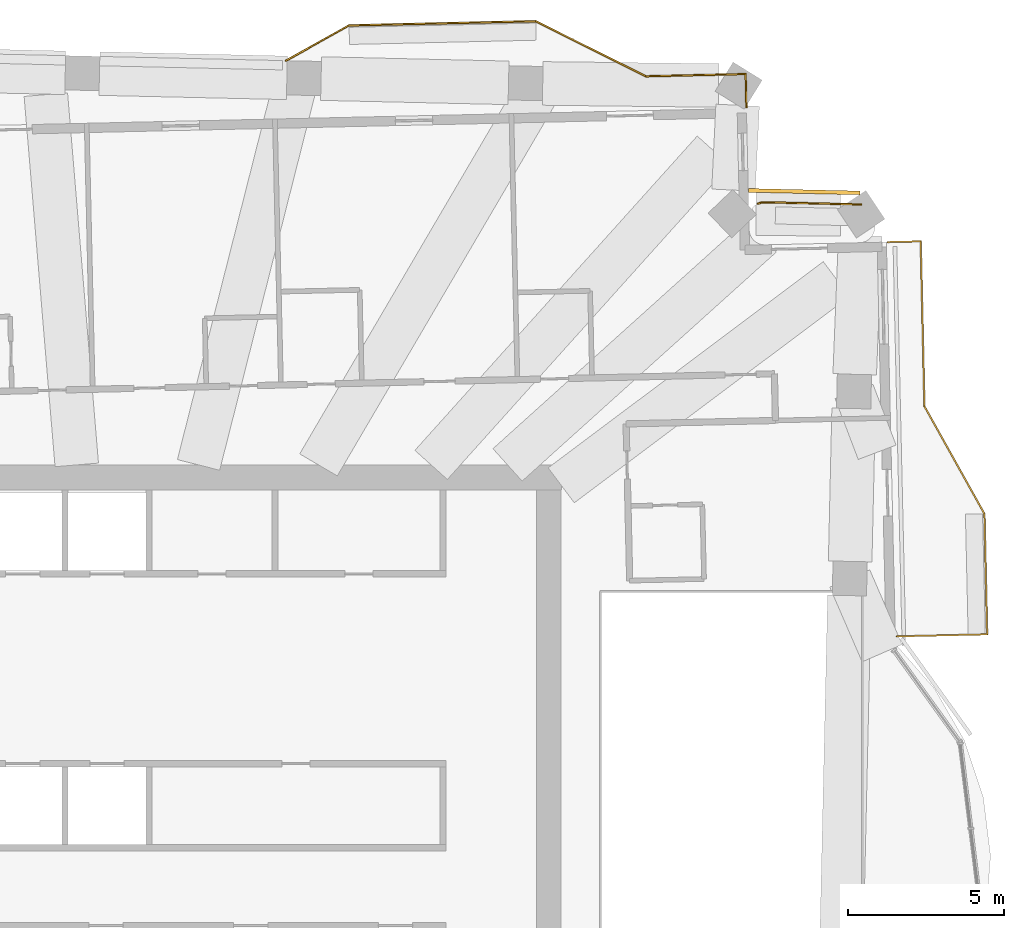
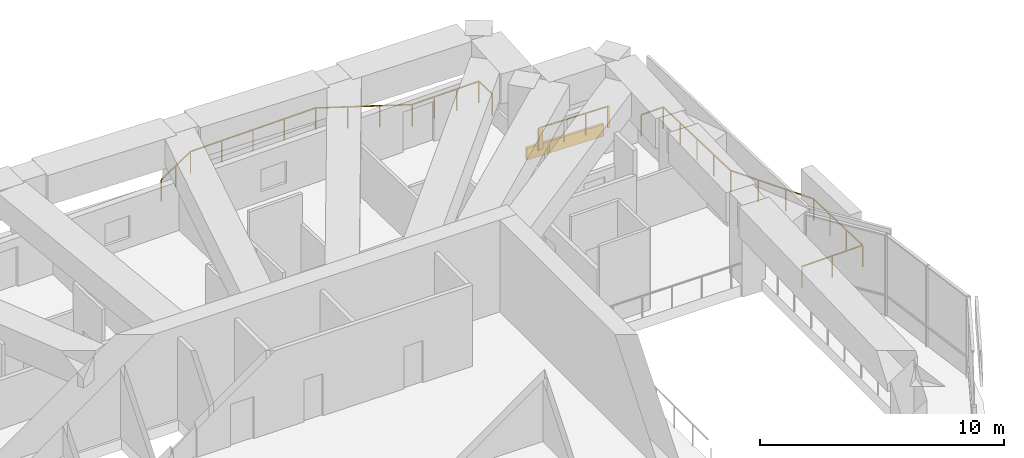
# One storey, part 19 of 19: 3 railings, 1 covering.
"""IFC4 building model written with IfcOpenShell, lengths in metres."""

from ifc_helpers import new_model, si_unit, direction, frame, frame_2d, origin, origin_2d, place, context, subcontext, project, spatial, rectangle, extrude, material, layer, layer_set, type_object, element, save


model = new_model("IFC4")

# Units and contexts
model_context = context("Model", 3, precision=1e-05, world=origin(), true_north=direction((0.0, 1.0)))
body_context = subcontext(model_context, "Body", "Model", "MODEL_VIEW")
ifc_project = project(units=[si_unit("LENGTHUNIT", "METRE"), si_unit("AREAUNIT", "SQUARE_METRE"), si_unit("VOLUMEUNIT", "CUBIC_METRE"), si_unit("PLANEANGLEUNIT", "RADIAN"), si_unit("MASSUNIT", "GRAM", prefix="KILO")], contexts=[model_context])

# Site, building, storey
site_placement = place(None, origin())
site = spatial("IfcSite", under=ifc_project, at=site_placement, CompositionType="ELEMENT")
building_placement = place(site_placement, origin())
building = spatial("IfcBuilding", under=site, at=building_placement, Name="Mangrove Gate Tower", CompositionType="ELEMENT")
storey_placement = place(building_placement, frame((0.0, 0.0, 226.5)))
storey = spatial("IfcBuildingStorey", under=building, at=storey_placement, Name="L57", CompositionType="ELEMENT", Elevation=226.5)

# Railings
ifc_material_1 = material(Name="Stainless steel grade 316 with laminated glass infill", Category="steel")
railing_type = type_object("IfcRailingType", Name="Balcony guard 1100", PredefinedType="GUARDRAIL", material=ifc_material_1)
railing_1_placement = place(storey_placement, frame((25.375, 6.089111328125, 0.0)))
element("IfcRailing", 1, at=railing_1_placement, inside=storey, type_object=railing_type, Name="GUARD L57 E2", PredefinedType="GUARDRAIL", context=body_context, shape_type="SweptSolid", body=[
    extrude(rectangle(XDim=0.048095703125, YDim=0.048095703125, at=origin_2d()), frame((0.0, 0.0, 1.076171875), z_axis=(0.999743521605, 0.022647097142, 0.0), x_axis=(-0.022647097142, 0.999743521605, 0.0)), (0.0, 0.0, 1.0), 2.91064453125),
    extrude(rectangle(XDim=0.048095703125, YDim=0.048095703125, at=origin_2d()), frame((2.909912109375, 0.06591796875, 1.076171875), z_axis=(-0.022681332769, 0.999742745482, 0.0), x_axis=(-0.999742745482, -0.022681332769, 0.0)), (0.0, 0.0, 1.0), 3.875),
    extrude(rectangle(XDim=0.048095703125, YDim=0.048095703125, at=origin_2d()), frame((2.822021484375, 3.93994140625, 1.076171875), z_axis=(-0.48726008209, 0.87325689943, 0.0), x_axis=(-0.87325689943, -0.48726008209, 0.0)), (0.0, 0.0, 1.0), 3.958740234375),
    extrude(rectangle(XDim=0.048095703125, YDim=0.048095703125, at=origin_2d()), frame((0.89306640625, 7.39697265625, 1.076171875), z_axis=(-0.022662810424, 0.99974316553, 0.0), x_axis=(-0.99974316553, -0.022662810424, 0.0)), (0.0, 0.0, 1.0), 5.30029296875),
    extrude(rectangle(XDim=0.048095703125, YDim=0.048095703125, at=origin_2d()), frame((0.77294921875, 12.69580078125, 1.076171875), z_axis=(-0.999745389313, -0.022564497502, 0.0), x_axis=(0.022564497502, -0.999745389313, 0.0)), (0.0, 0.0, 1.0), 1.060302734375),
    extrude(rectangle(XDim=0.0419921875, YDim=0.0419921875, at=origin_2d()), origin(), (0.0, 0.0, 1.0), 1.052001953125),
    extrude(rectangle(XDim=0.0419921875, YDim=0.0419921875, at=origin_2d()), frame((1.455078125, 0.032958984375, 0.0)), (0.0, 0.0, 1.0), 1.052001953125),
    extrude(rectangle(XDim=0.0419921875, YDim=0.0419921875, at=origin_2d()), frame((2.909912109375, 0.06591796875, 0.0)), (0.0, 0.0, 1.0), 1.052001953125),
    extrude(rectangle(XDim=0.0419921875, YDim=0.0419921875, at=origin_2d()), frame((2.880615234375, 1.357177734375, 0.0)), (0.0, 0.0, 1.0), 1.052001953125),
    extrude(rectangle(XDim=0.0419921875, YDim=0.0419921875, at=origin_2d()), frame((2.851318359375, 2.648681640625, 0.0)), (0.0, 0.0, 1.0), 1.052001953125),
    extrude(rectangle(XDim=0.0419921875, YDim=0.0419921875, at=origin_2d()), frame((2.822021484375, 3.93994140625, 0.0)), (0.0, 0.0, 1.0), 1.052001953125),
    extrude(rectangle(XDim=0.0419921875, YDim=0.0419921875, at=origin_2d()), frame((2.178955078125, 5.09228515625, 0.0)), (0.0, 0.0, 1.0), 1.052001953125),
    extrude(rectangle(XDim=0.0419921875, YDim=0.0419921875, at=origin_2d()), frame((1.5361328125, 6.24462890625, 0.0)), (0.0, 0.0, 1.0), 1.052001953125),
    extrude(rectangle(XDim=0.0419921875, YDim=0.0419921875, at=origin_2d()), frame((0.89306640625, 7.39697265625, 0.0)), (0.0, 0.0, 1.0), 1.052001953125),
    extrude(rectangle(XDim=0.0419921875, YDim=0.0419921875, at=origin_2d()), frame((0.863037109375, 8.7216796875, 0.0)), (0.0, 0.0, 1.0), 1.052001953125),
    extrude(rectangle(XDim=0.0419921875, YDim=0.0419921875, at=origin_2d()), frame((0.8330078125, 10.04638671875, 0.0)), (0.0, 0.0, 1.0), 1.052001953125),
    extrude(rectangle(XDim=0.0419921875, YDim=0.0419921875, at=origin_2d()), frame((0.802978515625, 11.37109375, 0.0)), (0.0, 0.0, 1.0), 1.052001953125),
    extrude(rectangle(XDim=0.0419921875, YDim=0.0419921875, at=origin_2d()), frame((0.77294921875, 12.69580078125, 0.0)), (0.0, 0.0, 1.0), 1.052001953125),
    extrude(rectangle(XDim=0.0419921875, YDim=0.0419921875, at=origin_2d()), frame((-0.287109375, 12.671875, 0.0)), (0.0, 0.0, 1.0), 1.052001953125),
])
railing_2_placement = place(storey_placement, frame((20.548095703125, 23.09912109375, 0.0)))
element("IfcRailing", 2, at=railing_2_placement, inside=storey, type_object=railing_type, Name="GUARD L57 N1", PredefinedType="GUARDRAIL", context=body_context, shape_type="SweptSolid", body=[
    extrude(rectangle(XDim=0.048095703125, YDim=0.048095703125, at=origin_2d()), frame((0.0, 0.0, 1.076171875), z_axis=(-0.022799876723, 0.999740049023, 0.0), x_axis=(-0.999740049023, -0.022799876723, 0.0)), (0.0, 0.0, 1.0), 1.06005859375),
    extrude(rectangle(XDim=0.048095703125, YDim=0.048095703125, at=origin_2d()), frame((-0.024169921875, 1.059814453125, 1.076171875), z_axis=(-0.999740377838, -0.022785454148, 0.0), x_axis=(0.022785454148, -0.999740377838, 0.0)), (0.0, 0.0, 1.0), 3.20361328125),
    extrude(rectangle(XDim=0.048095703125, YDim=0.048095703125, at=origin_2d()), frame((-3.22705078125, 0.98681640625, 1.076171875), z_axis=(-0.894476522376, 0.447114919141, 0.0), x_axis=(-0.447114919141, -0.894476522376, 0.0)), (0.0, 0.0, 1.0), 3.958740234375),
    extrude(rectangle(XDim=0.048095703125, YDim=0.048095703125, at=origin_2d()), frame((-6.76806640625, 2.7568359375, 1.076171875), z_axis=(-0.999743094499, -0.022665943652, 0.0), x_axis=(0.022665943652, -0.999743094499, 0.0)), (0.0, 0.0, 1.0), 5.99951171875),
    extrude(rectangle(XDim=0.048095703125, YDim=0.048095703125, at=origin_2d()), frame((-12.76611328125, 2.620849609375, 1.076171875), z_axis=(-0.873356167076, -0.487082134173, 0.0), x_axis=(0.487082134173, -0.873356167076, 0.0)), (0.0, 0.0, 1.0), 2.332275390625),
    extrude(rectangle(XDim=0.0419921875, YDim=0.0419921875, at=origin_2d()), origin(), (0.0, 0.0, 1.0), 1.052001953125),
    extrude(rectangle(XDim=0.0419921875, YDim=0.0419921875, at=origin_2d()), frame((-0.024169921875, 1.059814453125, 0.0)), (0.0, 0.0, 1.0), 1.052001953125),
    extrude(rectangle(XDim=0.0419921875, YDim=0.0419921875, at=origin_2d()), frame((-1.091796875, 1.035400390625, 0.0)), (0.0, 0.0, 1.0), 1.052001953125),
    extrude(rectangle(XDim=0.0419921875, YDim=0.0419921875, at=origin_2d()), frame((-2.159423828125, 1.01123046875, 0.0)), (0.0, 0.0, 1.0), 1.052001953125),
    extrude(rectangle(XDim=0.0419921875, YDim=0.0419921875, at=origin_2d()), frame((-3.22705078125, 0.98681640625, 0.0)), (0.0, 0.0, 1.0), 1.052001953125),
    extrude(rectangle(XDim=0.0419921875, YDim=0.0419921875, at=origin_2d()), frame((-4.407470703125, 1.576904296875, 0.0)), (0.0, 0.0, 1.0), 1.052001953125),
    extrude(rectangle(XDim=0.0419921875, YDim=0.0419921875, at=origin_2d()), frame((-5.587646484375, 2.166748046875, 0.0)), (0.0, 0.0, 1.0), 1.052001953125),
    extrude(rectangle(XDim=0.0419921875, YDim=0.0419921875, at=origin_2d()), frame((-6.76806640625, 2.7568359375, 0.0)), (0.0, 0.0, 1.0), 1.052001953125),
    extrude(rectangle(XDim=0.0419921875, YDim=0.0419921875, at=origin_2d()), frame((-8.267578125, 2.722900390625, 0.0)), (0.0, 0.0, 1.0), 1.052001953125),
    extrude(rectangle(XDim=0.0419921875, YDim=0.0419921875, at=origin_2d()), frame((-9.76708984375, 2.68896484375, 0.0)), (0.0, 0.0, 1.0), 1.052001953125),
    extrude(rectangle(XDim=0.0419921875, YDim=0.0419921875, at=origin_2d()), frame((-11.2666015625, 2.65478515625, 0.0)), (0.0, 0.0, 1.0), 1.052001953125),
    extrude(rectangle(XDim=0.0419921875, YDim=0.0419921875, at=origin_2d()), frame((-12.76611328125, 2.620849609375, 0.0)), (0.0, 0.0, 1.0), 1.052001953125),
    extrude(rectangle(XDim=0.0419921875, YDim=0.0419921875, at=origin_2d()), frame((-13.78466796875, 2.052734375, 0.0)), (0.0, 0.0, 1.0), 1.052001953125),
    extrude(rectangle(XDim=0.0419921875, YDim=0.0419921875, at=origin_2d()), frame((-14.802978515625, 1.48486328125, 0.0)), (0.0, 0.0, 1.0), 1.052001953125),
])
railing_3_placement = place(storey_placement, frame((20.923095703125, 19.993896484375, 0.0)))
element("IfcRailing", 3, at=railing_3_placement, inside=storey, type_object=railing_type, Name="GUARD L57 T1.1", PredefinedType="GUARDRAIL", context=body_context, shape_type="SweptSolid", body=[
    extrude(rectangle(XDim=0.048095703125, YDim=0.048095703125, at=origin_2d()), frame((0.0, 0.0, 1.076171875), z_axis=(0.911505056451, 0.411288866935, 0.0), x_axis=(-0.411288866935, 0.911505056451, 0.0)), (0.0, 0.0, 1.0), 0.02197265625),
    extrude(rectangle(XDim=0.048095703125, YDim=0.048095703125, at=origin_2d()), frame((0.02001953125, 0.009033203125, 1.076171875), z_axis=(0.947711809172, 0.319127445946, 0.0), x_axis=(-0.319127445946, 0.947711809172, 0.0)), (0.0, 0.0, 1.0), 0.050537109375),
    extrude(rectangle(XDim=0.048095703125, YDim=0.048095703125, at=origin_2d()), frame((0.06787109375, 0.025146484375, 1.076171875), z_axis=(0.971547472049, 0.236844906121, 0.0), x_axis=(-0.236844906121, 0.971547472049, 0.0)), (0.0, 0.0, 1.0), 0.050537109375),
    extrude(rectangle(XDim=0.048095703125, YDim=0.048095703125, at=origin_2d()), frame((0.116943359375, 0.037109375, 1.076171875), z_axis=(0.992645877551, 0.121054375311, 0.0), x_axis=(-0.121054375311, 0.992645877551, 0.0)), (0.0, 0.0, 1.0), 0.050537109375),
    extrude(rectangle(XDim=0.048095703125, YDim=0.048095703125, at=origin_2d()), frame((0.1669921875, 0.043212890625, 1.076171875), z_axis=(0.999231950732, 0.039185566695, 0.0), x_axis=(-0.039185566695, 0.999231950732, 0.0)), (0.0, 0.0, 1.0), 0.0498046875),
    extrude(rectangle(XDim=0.048095703125, YDim=0.048095703125, at=origin_2d()), frame((0.216796875, 0.045166015625, 1.076171875), z_axis=(0.99974422293, -0.022616116314, 0.0), x_axis=(0.022616116314, 0.99974422293, 0.0)), (0.0, 0.0, 1.0), 3.054931640625),
    extrude(rectangle(XDim=0.048095703125, YDim=0.048095703125, at=origin_2d()), frame((3.27099609375, -0.02392578125, 1.076171875), z_axis=(0.996815278536, -0.079745222283, 0.0), x_axis=(0.079745222283, 0.996815278536, 0.0)), (0.0, 0.0, 1.0), 0.049072265625),
    extrude(rectangle(XDim=0.0419921875, YDim=0.0419921875, at=origin_2d()), origin(), (0.0, 0.0, 1.0), 1.052001953125),
    extrude(rectangle(XDim=0.0419921875, YDim=0.0419921875, at=origin_2d()), frame((0.02001953125, 0.009033203125, 0.0)), (0.0, 0.0, 1.0), 1.052001953125),
    extrude(rectangle(XDim=0.0419921875, YDim=0.0419921875, at=origin_2d()), frame((0.06787109375, 0.025146484375, 0.0)), (0.0, 0.0, 1.0), 1.052001953125),
    extrude(rectangle(XDim=0.0419921875, YDim=0.0419921875, at=origin_2d()), frame((0.116943359375, 0.037109375, 0.0)), (0.0, 0.0, 1.0), 1.052001953125),
    extrude(rectangle(XDim=0.0419921875, YDim=0.0419921875, at=origin_2d()), frame((0.1669921875, 0.043212890625, 0.0)), (0.0, 0.0, 1.0), 1.052001953125),
    extrude(rectangle(XDim=0.0419921875, YDim=0.0419921875, at=origin_2d()), frame((0.216796875, 0.045166015625, 0.0)), (0.0, 0.0, 1.0), 1.052001953125),
    extrude(rectangle(XDim=0.0419921875, YDim=0.0419921875, at=origin_2d()), frame((1.23486328125, 0.022216796875, 0.0)), (0.0, 0.0, 1.0), 1.052001953125),
    extrude(rectangle(XDim=0.0419921875, YDim=0.0419921875, at=origin_2d()), frame((2.2529296875, -0.0009765625, 0.0)), (0.0, 0.0, 1.0), 1.052001953125),
    extrude(rectangle(XDim=0.0419921875, YDim=0.0419921875, at=origin_2d()), frame((3.27099609375, -0.02392578125, 0.0)), (0.0, 0.0, 1.0), 1.052001953125),
    extrude(rectangle(XDim=0.0419921875, YDim=0.0419921875, at=origin_2d()), frame((3.31982421875, -0.02783203125, 0.0)), (0.0, 0.0, 1.0), 1.052001953125),
])

# Covering
ifc_material_2 = material(Name="Limestone", Category="masonry")
ifc_layer_1 = layer(ifc_material_2, 0.0400390625, Name="Limestone cladding")
ifc_material_3 = material(Name="Stainless steel anchors and cavity", Category="steel")
ifc_layer_2 = layer(ifc_material_3, 0.080078125, Name="Fixing cavity")
ifc_layer_set = layer_set([ifc_layer_1, ifc_layer_2], Name="Joint fascia cladding 120")
covering_type = type_object("IfcCoveringType", Name="Joint fascia cladding 120", PredefinedType="CLADDING", material=ifc_layer_set)
covering_placement = place(storey_placement, frame((20.611572265625, 20.421142578125, -0.60009765625), z_axis=(0.0, 0.0, 1.0), x_axis=(0.999745402025, -0.022563934295, 0.0)))
element("IfcCovering", 4, at=covering_placement, inside=storey, type_object=covering_type, Name="STONE FASCIA L57 TB71-1.1", PredefinedType="CLADDING", context=body_context, shape_type="SweptSolid", body=[
    extrude(rectangle(XDim=3.59228515625, YDim=0.1201171875, at=frame_2d((1.796142578125, 0.0))), origin(), (0.0, 0.0, 1.0), 0.60009765625),
])

save(model, "model.ifc")
